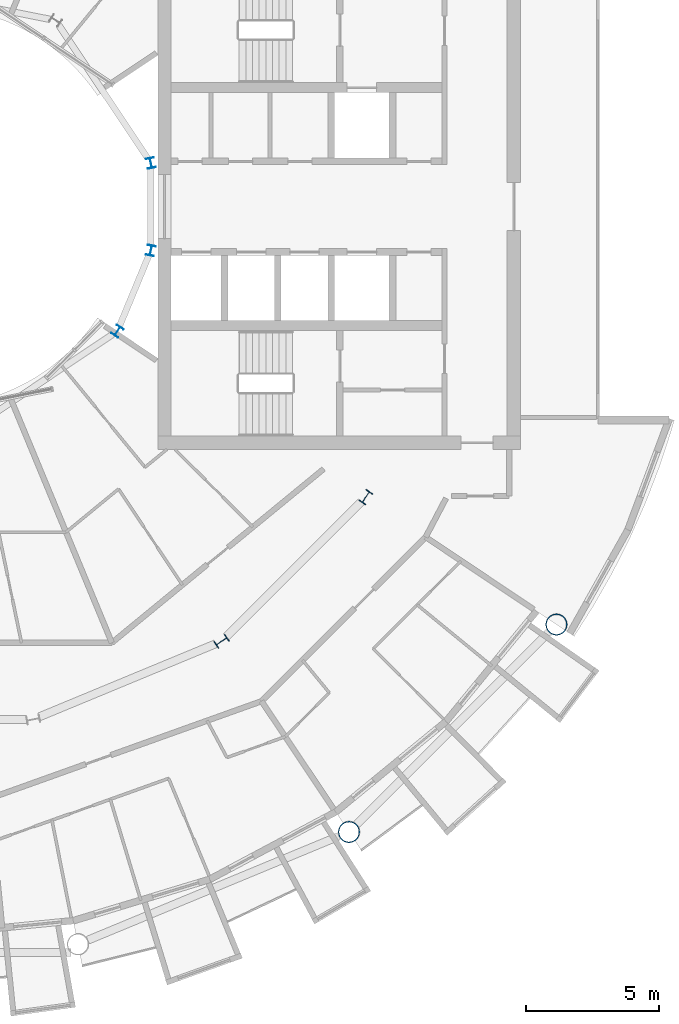
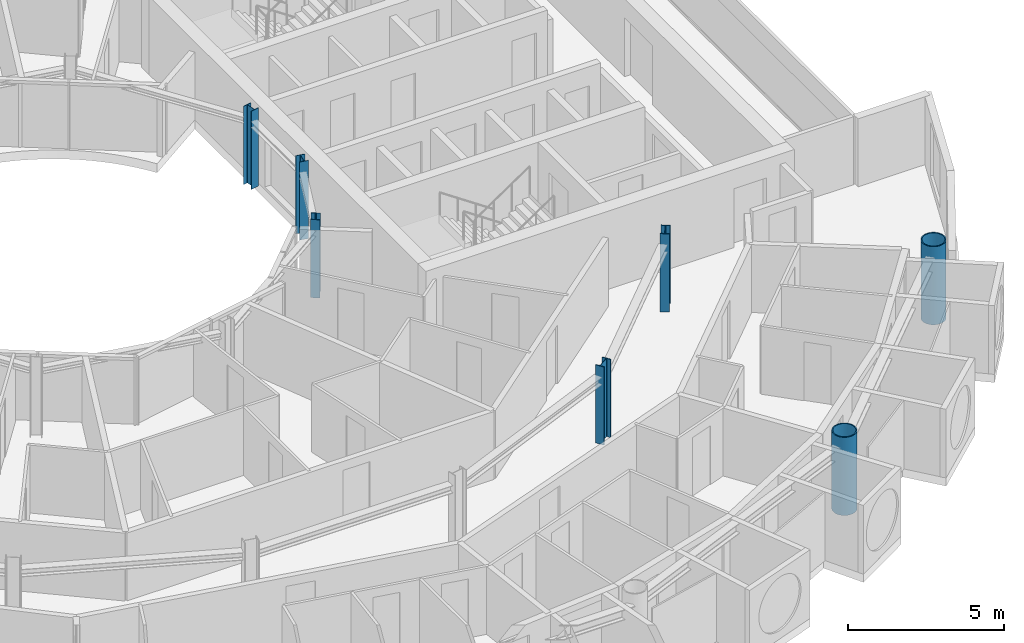
# One storey, part 2 of 26: 7 columns.
"""IFC4 building model written with IfcOpenShell, lengths in metres."""

import ifcopenshell
import ifcopenshell.guid

model = None  # the IFC model being written
_history = None  # IfcOwnerHistory: only IFC2X3 demands one
_inside = {}  # id of a spatial element -> (the spatial element, [elements in it])
_under = {}  # id of a project, library or spatial element -> (it, [spatial elements below it])
_declared = {}  # id of a project -> (the project, [libraries it declares])
_typed = {}  # id of a type object -> (the type object, [elements of that type])
_made_of = {}  # id of a material, layer set ... -> (it, [elements and type objects made of it])


def new_model(schema):
    """Start an empty IFC model of exactly this schema.

    Asked for "IFC4X3", IfcOpenShell would pick the latest addendum, in which some entities
    have other attributes; the version numbers below select the first issue.
    IFC2X3 requires an IfcOwnerHistory on every rooted entity: one is made here for all.
    """
    global model, _history
    if schema == "IFC4X3":
        model = ifcopenshell.file(schema_version=(4, 3, 0, 0))
    else:
        model = ifcopenshell.file(schema=schema)
    _inside.clear()
    _under.clear()
    _declared.clear()
    _typed.clear()
    _made_of.clear()
    _history = None
    if model.schema == "IFC2X3":
        org = make("IfcOrganization", Name="unknown")
        user = make(
            "IfcPersonAndOrganization",
            ThePerson=make("IfcPerson", FamilyName="unknown"),
            TheOrganization=org,
        )
        app = make(
            "IfcApplication",
            ApplicationDeveloper=org,
            Version="unknown",
            ApplicationFullName="unknown",
            ApplicationIdentifier="unknown",
        )
        _history = make(
            "IfcOwnerHistory",
            OwningUser=user,
            OwningApplication=app,
            ChangeAction="ADDED",
            CreationDate=0,
        )
    return model


def make(cls, **values):
    """One entity of the class cls with the attributes given. An attribute that is None is left unset."""
    return model.create_entity(
        cls, **{name: value for name, value in values.items() if value is not None}
    )


def rooted(cls, **values):
    """An entity with a GlobalId (a new one), such as an element, a storey or a relation."""
    return make(cls, GlobalId=ifcopenshell.guid.new(), OwnerHistory=_history, **values)


def si_unit(unit_type, name, prefix=None):
    """IfcSIUnit, for example si_unit("LENGTHUNIT", "METRE", prefix="MILLI")."""
    return make("IfcSIUnit", UnitType=unit_type, Prefix=prefix, Name=name)


def assignment(units):
    """IfcUnitAssignment: the units of a project."""
    return None if units is None else make("IfcUnitAssignment", Units=units)


def point(xyz):
    """IfcCartesianPoint."""
    return None if xyz is None else make("IfcCartesianPoint", Coordinates=xyz)


def direction(xyz):
    """IfcDirection."""
    return None if xyz is None else make("IfcDirection", DirectionRatios=xyz)


def frame(location, z_axis=None, x_axis=None):
    """IfcAxis2Placement3D, a coordinate frame: its origin and axes. An axis left out is left unset."""
    return make(
        "IfcAxis2Placement3D",
        Location=point(location),
        Axis=direction(z_axis),
        RefDirection=direction(x_axis),
    )


def frame_2d(location, x_axis=None):
    """IfcAxis2Placement2D, a coordinate frame in the plane: its origin and x axis."""
    return make(
        "IfcAxis2Placement2D", Location=point(location), RefDirection=direction(x_axis)
    )


def origin():
    """The frame at (0, 0, 0) with its axes left unset."""
    return frame((0.0, 0.0, 0.0))


def origin_2d():
    """The frame at (0, 0) in the plane with its x axis left unset."""
    return frame_2d((0.0, 0.0))


def place(relative_to, where):
    """IfcLocalPlacement: puts the frame where relative to a parent placement (None: the world)."""
    return make(
        "IfcLocalPlacement", PlacementRelTo=relative_to, RelativePlacement=where
    )


def context(
    kind, dimensions, precision=None, world=None, true_north=None, identifier=None
):
    """IfcGeometricRepresentationContext, for example the 3D "Model" context."""
    return make(
        "IfcGeometricRepresentationContext",
        ContextIdentifier=identifier,
        ContextType=kind,
        CoordinateSpaceDimension=dimensions,
        Precision=precision,
        WorldCoordinateSystem=world,
        TrueNorth=true_north,
    )


def subcontext(parent, identifier, kind, view, scale=None):
    """IfcGeometricRepresentationSubContext, for example "Body" below "Model"."""
    return make(
        "IfcGeometricRepresentationSubContext",
        ContextIdentifier=identifier,
        ContextType=kind,
        ParentContext=parent,
        TargetScale=scale,
        TargetView=view,
    )


def project(units=None, contexts=None):
    """IfcProject with its units and contexts."""
    return rooted(
        "IfcProject",
        Name="project",
        RepresentationContexts=contexts,
        UnitsInContext=assignment(units),
    )


def spatial(cls, under=None, at=None, **own):
    """A site, building, storey or space (cls), placed at a placement, below another one or the project."""
    s = rooted(cls, ObjectPlacement=at, **own)
    if under is not None:
        _under.setdefault(under.id(), (under, []))[1].append(s)
    return s


def profile(cls, at=None, kind="AREA", **sizes):
    """A parametric profile (cls). Its sizes go by their IFC names, for example OverallWidth=200.0."""
    return make(cls, ProfileType=kind, Position=at, **sizes)


def hollow_circle(**sizes):
    """IfcCircleHollowProfileDef."""
    return profile("IfcCircleHollowProfileDef", **sizes)


def i_section(**sizes):
    """IfcIShapeProfileDef."""
    return profile("IfcIShapeProfileDef", **sizes)


def extrude(swept, where, along, depth):
    """IfcExtrudedAreaSolid: the profile swept, set in the frame where, extruded along a direction by depth."""
    return make(
        "IfcExtrudedAreaSolid",
        SweptArea=swept,
        Position=where,
        ExtrudedDirection=direction(along),
        Depth=depth,
    )


def shape(context_of_items, identifier, shape_type, items):
    """IfcShapeRepresentation: the items that make up one representation, for example the "Body"."""
    return make(
        "IfcShapeRepresentation",
        ContextOfItems=context_of_items,
        RepresentationIdentifier=identifier,
        RepresentationType=shape_type,
        Items=items,
    )


def material(Name=None, Category=None):
    """IfcMaterial."""
    return make("IfcMaterial", Name=Name, Category=Category)


def material_profile(
    of_material, cross_section, Name=None, Category=None, Priority=None
):
    """IfcMaterialProfile: a cross section and its material."""
    return make(
        "IfcMaterialProfile",
        Name=Name,
        Material=of_material,
        Profile=cross_section,
        Priority=Priority,
        Category=Category,
    )


def profile_set(profiles, Name=None, composite=None):
    """IfcMaterialProfileSet."""
    return make(
        "IfcMaterialProfileSet",
        Name=Name,
        MaterialProfiles=profiles,
        CompositeProfile=composite,
    )


def made_of(thing, what):
    """Note that an element or type object is made of a material, layer set ...; save() writes the relation."""
    if what is not None:
        _made_of.setdefault(what.id(), (what, []))[1].append(thing)
    return thing


def type_object(cls, material=None, **own):
    """A type object (cls), such as IfcWallType, which elements share."""
    return made_of(rooted(cls, **own), material)


def element(
    cls,
    number,
    at=None,
    inside=None,
    cuts=None,
    type_object=None,
    material=None,
    context=None,
    identifier="Body",
    shape_type=None,
    held_by="IfcProductDefinitionShape",
    body=None,
    shapes=None,
    **own,
):
    """One element of the class cls, such as IfcWall. Its Tag is "e" and its number.

    at: its placement. inside: the storey or other place that contains it. cuts: it is an
    opening in that element (IfcRelVoidsElement). A single representation is given by context,
    identifier, shape_type and body (its items); several are given by shapes. held_by: the class
    of the entity that holds the representations. save() writes the other relations.
    """
    e = rooted(cls, Tag="e%d" % number, ObjectPlacement=at, **own)
    if body is not None:
        shapes = [shape(context, identifier, shape_type, body)]
    if shapes is not None:
        e.Representation = make(held_by, Representations=shapes)
    if inside is not None:
        _inside.setdefault(inside.id(), (inside, []))[1].append(e)
    if cuts is not None:
        rooted(
            "IfcRelVoidsElement", RelatingBuildingElement=cuts, RelatedOpeningElement=e
        )
    if type_object is not None:
        _typed.setdefault(type_object.id(), (type_object, []))[1].append(e)
    return made_of(e, material)


def aggregate(whole, parts):
    """IfcRelAggregates: a whole, such as a stair, and the parts it consists of."""
    return rooted("IfcRelAggregates", RelatingObject=whole, RelatedObjects=parts)


def save(model, path):
    """Write the relations noted so far, then the file.

    IfcRelAggregates (storeys below a building ...), IfcRelContainedInSpatialStructure (elements
    in a storey), IfcRelDefinesByType, IfcRelAssociatesMaterial and IfcRelDeclares: one each for
    every whole, place, type object, material and project.
    """
    for whole, parts in _under.values():
        aggregate(whole, parts)
    for where, things in _inside.values():
        rooted(
            "IfcRelContainedInSpatialStructure",
            RelatedElements=things,
            RelatingStructure=where,
        )
    for kind, things in _typed.values():
        rooted("IfcRelDefinesByType", RelatedObjects=things, RelatingType=kind)
    for what, things in _made_of.values():
        rooted("IfcRelAssociatesMaterial", RelatedObjects=things, RelatingMaterial=what)
    for by, libraries in _declared.values():
        rooted("IfcRelDeclares", RelatingContext=by, RelatedDefinitions=libraries)
    model.write(path)


model = new_model("IFC4")

# Units and contexts
model_context = context("Model", 3, precision=1e-05, world=origin(), true_north=direction((0.0, 1.0)))
body_context = subcontext(model_context, "Body", "Model", "MODEL_VIEW")
ifc_project = project(units=[si_unit("LENGTHUNIT", "METRE"), si_unit("AREAUNIT", "SQUARE_METRE"), si_unit("VOLUMEUNIT", "CUBIC_METRE"), si_unit("PLANEANGLEUNIT", "RADIAN"), si_unit("MASSUNIT", "GRAM", prefix="KILO")], contexts=[model_context])

# Site, building, storey
site_placement = place(None, origin())
site = spatial("IfcSite", under=ifc_project, at=site_placement, CompositionType="ELEMENT")
building_placement = place(site_placement, origin())
building = spatial("IfcBuilding", under=site, at=building_placement, Name="Maasbend Ring Residences", CompositionType="ELEMENT")
storey_placement = place(building_placement, frame((0.0, 0.0, 176.85009765625)))
storey = spatial("IfcBuildingStorey", under=building, at=storey_placement, Name="L51", CompositionType="ELEMENT", Elevation=176.85009765625)

# Columns
ifc_material_1 = material(Name="Composite concrete-filled steel tube S460NH / C80/95", Category="concrete")
ifc_material_profile_1 = material_profile(ifc_material_1, hollow_circle(Radius=0.406494140625, WallThickness=0.0400390625, at=origin_2d()), Name="Composite tube column CHS 813x40")
ifc_profile_set_1 = profile_set([ifc_material_profile_1], Name="Composite concrete-filled steel tube S460NH / C80/95")
column_type_1 = type_object("IfcColumnType", Name="Composite tube column CHS 813x40", PredefinedType="COLUMN", material=ifc_profile_set_1)
for number, where, z_axis, x_axis, name in (
    (1, (15.6669921875, -23.447509765625, 0.0), (0.0, 0.0, 1.0), (1.0, 0.0, 0.0), "Outer column R14"),
    (2, (23.447509765625, -15.6669921875, 0.0), (0.0, 0.0, 1.0), (1.0, 0.0, 0.0), "Outer column R15"),
):
    element("IfcColumn", number, at=place(storey_placement, frame(where, z_axis=z_axis, x_axis=x_axis)), inside=storey, type_object=column_type_1, Name=name, PredefinedType="COLUMN", context=body_context, shape_type="SweptSolid", body=[
        extrude(hollow_circle(Radius=0.406494140625, WallThickness=0.0400390625, at=origin_2d()), origin(), (0.0, 0.0, 1.0), 3.0498046875),
    ])
ifc_material_2 = material(Name="Steel S355J2", Category="steel")
ifc_material_profile_2 = material_profile(ifc_material_2, i_section(OverallWidth=0.300048828125, OverallDepth=0.389892578125, WebThickness=0.010986328125, FlangeThickness=0.01904296875, FilletRadius=0.027099609375, at=origin_2d()), Name="HEA 400")
ifc_profile_set_2 = profile_set([ifc_material_profile_2], Name="Steel S355J2")
column_type_2 = type_object("IfcColumnType", Name="Steel column HEA 400", PredefinedType="COLUMN", material=ifc_profile_set_2)
for number, where, z_axis, x_axis, name in (
    (3, (8.238525390625, 1.638916015625, 0.0), (0.0, 0.0, 1.0), (0.980785280403, 0.195090322016, 0.0), "Well ring column R1"),
    (4, (6.984375, -4.666748046875, 0.0), (0.0, 0.0, 1.0), (0.831469612303, -0.55557023302, 0.0), "Well ring column R15"),
    (5, (8.238525390625, -1.638916015625, 0.0), (0.0, 0.0, 1.0), (0.980785280403, -0.195090322016, 0.0), "Well ring column R16"),
):
    element("IfcColumn", number, at=place(storey_placement, frame(where, z_axis=z_axis, x_axis=x_axis)), inside=storey, type_object=column_type_2, Name=name, PredefinedType="COLUMN", context=body_context, shape_type="SweptSolid", body=[
        extrude(i_section(OverallWidth=0.300048828125, OverallDepth=0.389892578125, WebThickness=0.010986328125, FlangeThickness=0.01904296875, FilletRadius=0.027099609375, at=origin_2d()), origin(), (0.0, 0.0, 1.0), 3.0498046875),
    ])
ifc_material_3 = material(Name="Steel S355J2", Category="steel")
ifc_material_profile_3 = material_profile(ifc_material_3, i_section(OverallWidth=0.300048828125, OverallDepth=0.5, WebThickness=0.014404296875, FlangeThickness=0.028076171875, FilletRadius=0.027099609375, at=origin_2d()), Name="HEB 500")
ifc_profile_set_3 = profile_set([ifc_material_profile_3], Name="Steel S355J2")
column_type_3 = type_object("IfcColumnType", Name="Steel column HEB 500", PredefinedType="COLUMN", material=ifc_profile_set_3)
for number, where, z_axis, x_axis, name in (
    (6, (10.88916015625, -16.296875, 0.0), (0.0, 0.0, 1.0), (0.55557023302, -0.831469612303, 0.0), "Corridor ring column R14"),
    (7, (16.296875, -10.88916015625, 0.0), (0.0, 0.0, 1.0), (0.831469612303, -0.55557023302, 0.0), "Corridor ring column R15"),
):
    element("IfcColumn", number, at=place(storey_placement, frame(where, z_axis=z_axis, x_axis=x_axis)), inside=storey, type_object=column_type_3, Name=name, PredefinedType="COLUMN", context=body_context, shape_type="SweptSolid", body=[
        extrude(i_section(OverallWidth=0.300048828125, OverallDepth=0.5, WebThickness=0.014404296875, FlangeThickness=0.028076171875, FilletRadius=0.027099609375, at=origin_2d()), origin(), (0.0, 0.0, 1.0), 3.0498046875),
    ])

save(model, "model.ifc")
